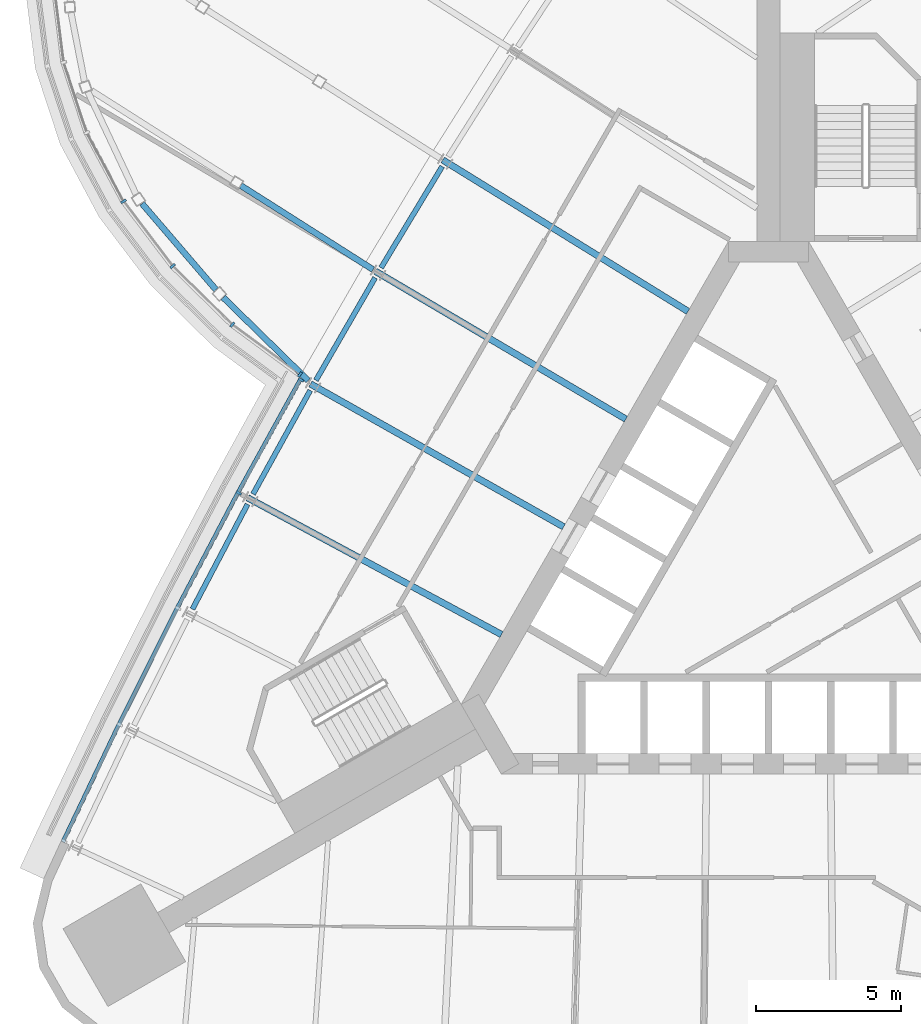
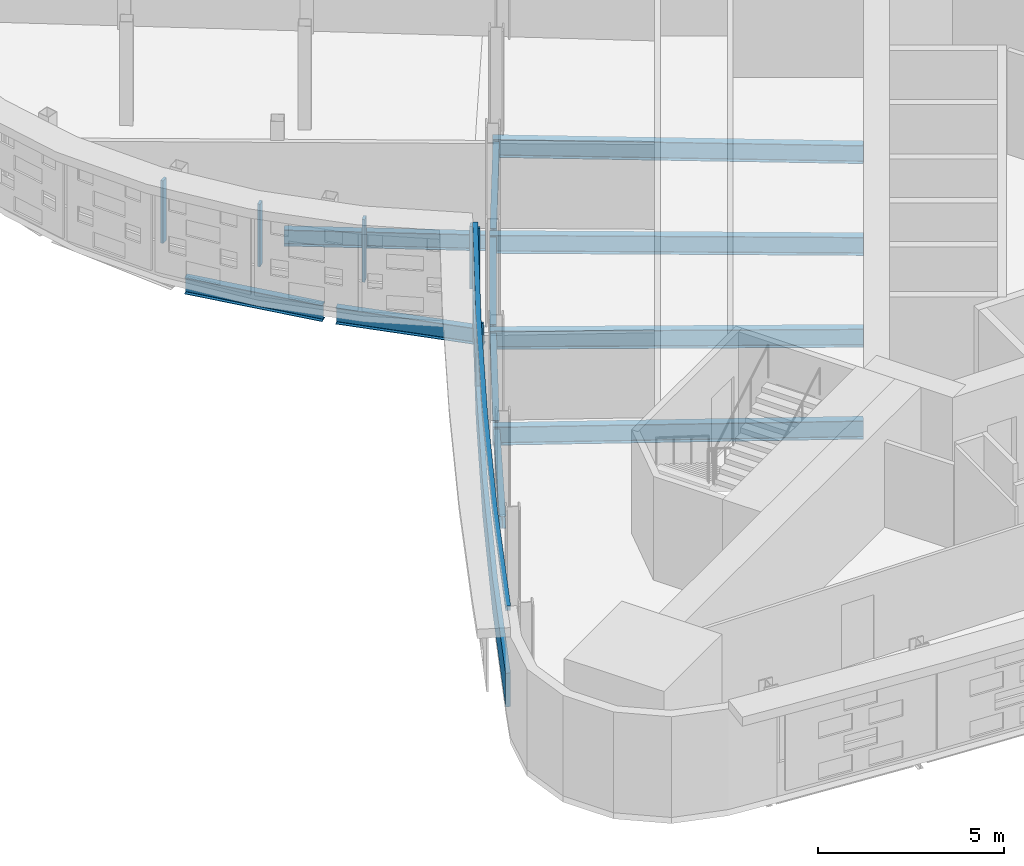
# One storey, part 6 of 17: 11 beams, 8 members, 2 elements without a shape of their own.
"""IFC4 building model written with IfcOpenShell, lengths in metres."""

from ifc_helpers import new_model, si_unit, direction, frame, origin, origin_2d, place, context, subcontext, project, spatial, polyline, rectangle, i_section, outline, extrude, material, material_profile, profile_set, type_object, element, aggregate, save


model = new_model("IFC4")

# Units and contexts
model_context = context("Model", 3, precision=1e-05, world=origin(), true_north=direction((0.0, 1.0)))
body_context = subcontext(model_context, "Body", "Model", "MODEL_VIEW")
ifc_project = project(units=[si_unit("LENGTHUNIT", "METRE"), si_unit("AREAUNIT", "SQUARE_METRE"), si_unit("VOLUMEUNIT", "CUBIC_METRE"), si_unit("PLANEANGLEUNIT", "RADIAN"), si_unit("MASSUNIT", "GRAM", prefix="KILO")], contexts=[model_context])

# Site, building, storey
site_placement = place(None, origin())
site = spatial("IfcSite", under=ifc_project, at=site_placement, CompositionType="ELEMENT")
building_placement = place(site_placement, origin())
building = spatial("IfcBuilding", under=site, at=building_placement, Name="Noor Cloister Tower", CompositionType="ELEMENT")
storey_placement = place(building_placement, frame((0.0, 0.0, 98.699951171875)))
storey = spatial("IfcBuildingStorey", under=building, at=storey_placement, Name="L25", CompositionType="ELEMENT", Elevation=98.699951171875)

# Curtain wall, members
ifc_material_1 = material(Name="Aluminium 6063-T6 anodised", Category="aluminium")
curtain_wall_type_1 = type_object("IfcCurtainWallType", Name="Ribbon curtain wall, lower tower CW1", PredefinedType="NOTDEFINED", material=ifc_material_1)
curtain_wall_1_placement = place(storey_placement, origin())
curtain_wall_1 = element("IfcCurtainWall", 1, at=curtain_wall_1_placement, inside=storey, type_object=curtain_wall_type_1, Name="CW1 L25 NW run 2", PredefinedType="NOTDEFINED")
ifc_material_2 = material(Name="Aluminium 6063-T6 anodised", Category="aluminium")
member_type_1 = type_object("IfcMemberType", Name="Head transom CW1 150", PredefinedType="USERDEFINED", material=ifc_material_2)
member_1_placement = place(storey_placement, frame((0.0, 0.0, 3.150146484375)))
member_1 = element("IfcMember", 2, at=member_1_placement, type_object=member_type_1, Name="CW1 head transom", ObjectType="TRANSOM", PredefinedType="USERDEFINED", context=body_context, shape_type="SweptSolid", body=[
    extrude(outline(polyline([(-16.2080078125, 6.759765625), (-18.380859375, 2.819091796875), (-20.475830078125, -1.16357421875), (-22.49169921875, -5.1865234375), (-24.42822265625, -9.24853515625), (-24.302001953125, -9.30859375), (-22.365966796875, -5.248046875), (-20.35107421875, -1.2275390625), (-18.257568359375, 2.752685546875), (-16.08544921875, 6.692138671875), (-16.2080078125, 6.759765625)])), origin(), (0.0, 0.0, 1.0), 0.14990234375),
])
ifc_material_3 = material(Name="Aluminium 6063-T6 anodised", Category="aluminium")
ifc_material_profile_1 = material_profile(ifc_material_3, rectangle(XDim=0.199951171875, YDim=0.080078125, at=origin_2d()), Name="200 x 80 mullion")
ifc_profile_set_1 = profile_set([ifc_material_profile_1], Name="Aluminium 6063-T6 anodised")
member_type_2 = type_object("IfcMemberType", Name="Mullion CW1 80 x 200", PredefinedType="MULLION", material=ifc_profile_set_1)
member_2_placement = place(storey_placement, frame((-16.139892578125, 6.67626953125, 1.10009765625), z_axis=(0.0, 0.0, 1.0), x_axis=(0.875698643614, -0.482858038737, 0.0)))
member_2 = element("IfcMember", 3, at=member_2_placement, type_object=member_type_2, Name="CW1 mullion 1", PredefinedType="MULLION", context=body_context, shape_type="SweptSolid", body=[
    extrude(rectangle(XDim=0.199951171875, YDim=0.080078125, at=origin_2d()), origin(), (0.0, 0.0, 1.0), 2.050048828125),
])
member_3_placement = place(storey_placement, frame((-18.292724609375, 2.771728515625, 1.10009765625), z_axis=(0.0, 0.0, 1.0), x_axis=(0.880408277748, -0.474216474275, 0.0)))
member_3 = element("IfcMember", 4, at=member_3_placement, type_object=member_type_2, Name="CW1 mullion 2", PredefinedType="MULLION", context=body_context, shape_type="SweptSolid", body=[
    extrude(rectangle(XDim=0.199951171875, YDim=0.080078125, at=origin_2d()), origin(), (0.0, 0.0, 1.0), 2.050048828125),
])

ifc_material_4 = material(Name="Aluminium 6063-T6 anodised", Category="aluminium")
curtain_wall_type_2 = type_object("IfcCurtainWallType", Name="Sky bar curtain wall, lower bars CW2", PredefinedType="NOTDEFINED", material=ifc_material_4)
curtain_wall_2_placement = place(storey_placement, origin())
curtain_wall_2 = element("IfcCurtainWall", 5, at=curtain_wall_2_placement, inside=storey, type_object=curtain_wall_type_2, Name="CW2 L25 NW sky bar run 1", PredefinedType="NOTDEFINED")
ifc_material_5 = material(Name="Aluminium 6063-T6 anodised", Category="aluminium")
ifc_material_profile_2 = material_profile(ifc_material_5, rectangle(XDim=0.199951171875, YDim=0.080078125, at=origin_2d()), Name="200 x 80 mullion")
ifc_profile_set_2 = profile_set([ifc_material_profile_2], Name="Aluminium 6063-T6 anodised")
member_type_3 = type_object("IfcMemberType", Name="Mullion CW2 80 x 200", PredefinedType="MULLION", material=ifc_profile_set_2)
member_4_placement = place(storey_placement, frame((-22.271484375, 12.84375, 1.10009765625), z_axis=(0.0, 0.0, 1.0), x_axis=(0.842174256763, 0.539205453649, 0.0)))
member_4 = element("IfcMember", 6, at=member_4_placement, type_object=member_type_3, Name="CW2 mullion 15", PredefinedType="MULLION", context=body_context, shape_type="SweptSolid", body=[
    extrude(rectangle(XDim=0.199951171875, YDim=0.080078125, at=origin_2d()), origin(), (0.0, 0.0, 1.0), 2.050048828125),
])
member_5_placement = place(storey_placement, frame((-20.57763671875, 10.607666015625, 1.10009765625), z_axis=(0.0, 0.0, 1.0), x_axis=(0.750691888526, 0.660652471804, 0.0)))
member_5 = element("IfcMember", 7, at=member_5_placement, type_object=member_type_3, Name="CW2 mullion 16", PredefinedType="MULLION", context=body_context, shape_type="SweptSolid", body=[
    extrude(rectangle(XDim=0.199951171875, YDim=0.080078125, at=origin_2d()), origin(), (0.0, 0.0, 1.0), 2.050048828125),
])
member_6_placement = place(storey_placement, frame((-18.51513671875, 8.584716796875, 1.10009765625), z_axis=(0.0, 0.0, 1.0), x_axis=(0.648411146888, 0.761290341849, 0.0)))
member_6 = element("IfcMember", 8, at=member_6_placement, type_object=member_type_3, Name="CW2 mullion 17", PredefinedType="MULLION", context=body_context, shape_type="SweptSolid", body=[
    extrude(rectangle(XDim=0.199951171875, YDim=0.080078125, at=origin_2d()), origin(), (0.0, 0.0, 1.0), 2.050048828125),
])
member_7_placement = place(storey_placement, frame((-16.180908203125, 6.864013671875, 1.10009765625), z_axis=(0.0, 0.0, 1.0), x_axis=(0.593401424742, 0.804906671058, 0.0)))
member_7 = element("IfcMember", 9, at=member_7_placement, type_object=member_type_3, Name="CW2 mullion 18", PredefinedType="MULLION", context=body_context, shape_type="SweptSolid", body=[
    extrude(rectangle(XDim=0.199951171875, YDim=0.080078125, at=origin_2d()), origin(), (0.0, 0.0, 1.0), 2.050048828125),
])
aggregate(curtain_wall_2, [member_4, member_5, member_6, member_7])

# Beams
ifc_material_6 = material(Name="Steel ASTM A992 Gr 50", Category="steel")
ifc_material_profile_3 = material_profile(ifc_material_6, i_section(OverallWidth=0.208984375, OverallDepth=0.532958984375, WebThickness=0.01025390625, FlangeThickness=0.015625, FilletRadius=0.0126953125, at=origin_2d()), Name="W530x92")
ifc_profile_set_3 = profile_set([ifc_material_profile_3], Name="Steel ASTM A992 Gr 50")
beam_type_1 = type_object("IfcBeamType", Name="Pod floor beam W530x92", PredefinedType="BEAM", material=ifc_profile_set_3)
beam_1_placement = place(storey_placement, frame((-13.65576171875, 10.48583984375, -0.466552734375), z_axis=(-0.843988413178, 0.536361406535, 0.0), x_axis=(-0.536361406535, -0.843988413178, 0.0)))
element("IfcBeam", 10, at=beam_1_placement, inside=storey, type_object=beam_type_1, Name="Pod floor beam 2 L25 line 5 span 1", PredefinedType="BEAM", context=body_context, shape_type="SweptSolid", body=[
    extrude(i_section(OverallWidth=0.208984375, OverallDepth=0.532958984375, WebThickness=0.01025390625, FlangeThickness=0.015625, FilletRadius=0.0126953125, at=origin_2d()), origin(), (0.0, 0.0, 1.0), 5.409423828125),
])
beam_2_placement = place(storey_placement, frame((-21.6328125, 12.765625, -0.466552734375), z_axis=(0.651308985518, -0.75881262864, 0.0), x_axis=(0.75881262864, 0.651308985518, 0.0)))
element("IfcBeam", 11, at=beam_2_placement, inside=storey, type_object=beam_type_1, Name="Pod floor beam 2 L25 ring 10", PredefinedType="BEAM", context=body_context, shape_type="SweptSolid", body=[
    extrude(i_section(OverallWidth=0.208984375, OverallDepth=0.532958984375, WebThickness=0.01025390625, FlangeThickness=0.015625, FilletRadius=0.0126953125, at=origin_2d()), origin(), (0.0, 0.0, 1.0), 3.922119140625),
])
beam_3_placement = place(storey_placement, frame((-18.828857421875, 9.52294921875, -0.466552734375), z_axis=(0.714711800692, -0.699419074626, 0.0), x_axis=(0.699419074626, 0.714711800692, 0.0)))
element("IfcBeam", 12, at=beam_3_placement, inside=storey, type_object=beam_type_1, Name="Pod floor beam 2 L25 ring 11", PredefinedType="BEAM", context=body_context, shape_type="SweptSolid", body=[
    extrude(i_section(OverallWidth=0.208984375, OverallDepth=0.532958984375, WebThickness=0.01025390625, FlangeThickness=0.015625, FilletRadius=0.0126953125, at=origin_2d()), origin(), (0.0, 0.0, 1.0), 4.102783203125),
])
ifc_material_7 = material(Name="Steel ASTM A992 Gr 50", Category="steel")
ifc_material_profile_4 = material_profile(ifc_material_7, i_section(OverallWidth=0.22802734375, OverallDepth=0.60205078125, WebThickness=0.010498046875, FlangeThickness=0.014892578125, FilletRadius=0.0126953125, at=origin_2d()), Name="W610x101")
ifc_profile_set_4 = profile_set([ifc_material_profile_4], Name="Steel ASTM A992 Gr 50")
beam_type_2 = type_object("IfcBeamType", Name="Radial beam W610x101", PredefinedType="BEAM", material=ifc_profile_set_4)
beam_4_placement = place(storey_placement, frame((-11.249267578125, 14.272705078125, -0.5009765625), z_axis=(0.850881836439, -0.525357117034, 0.0), x_axis=(0.525357117034, 0.850881836439, 0.0)))
element("IfcBeam", 13, at=beam_4_placement, inside=storey, type_object=beam_type_2, Name="Radial beam NW 04 L25", PredefinedType="BEAM", context=body_context, shape_type="SweptSolid", body=[
    extrude(i_section(OverallWidth=0.22802734375, OverallDepth=0.60205078125, WebThickness=0.010498046875, FlangeThickness=0.014892578125, FilletRadius=0.0126953125, at=origin_2d()), origin(), (0.0, 0.0, 1.0), 9.95458984375),
])
for number, where, z_axis, x_axis, name in (
    (14, (-13.571044921875, 10.42822265625, -0.5009765625), (0.86106399039, -0.508496612038, 0.0), (0.508496612038, 0.86106399039, 0.0), "Radial beam NW 05 L25"),
    (15, (-15.816650390625, 6.538818359375, -0.5009765625), (0.870901874431, -0.491456941259, 0.0), (0.491456941259, 0.870901874431, 0.0), "Radial beam NW 06 L25"),
):
    element("IfcBeam", number, at=place(storey_placement, frame(where, z_axis=z_axis, x_axis=x_axis)), inside=storey, type_object=beam_type_2, Name=name, PredefinedType="BEAM", context=body_context, shape_type="SweptSolid", body=[
        extrude(i_section(OverallWidth=0.22802734375, OverallDepth=0.60205078125, WebThickness=0.010498046875, FlangeThickness=0.014892578125, FilletRadius=0.0126953125, at=origin_2d()), origin(), (0.0, 0.0, 1.0), 10.039306640625),
    ])
beam_5_placement = place(storey_placement, frame((-17.985107421875, 2.60595703125, -0.5009765625), z_axis=(0.880406516163, -0.474219744736, 0.0), x_axis=(0.474219744736, 0.880406516163, 0.0)))
element("IfcBeam", 16, at=beam_5_placement, inside=storey, type_object=beam_type_2, Name="Radial beam NW 07 L25", PredefinedType="BEAM", context=body_context, shape_type="SweptSolid", body=[
    extrude(i_section(OverallWidth=0.22802734375, OverallDepth=0.60205078125, WebThickness=0.010498046875, FlangeThickness=0.014892578125, FilletRadius=0.0126953125, at=origin_2d()), origin(), (0.0, 0.0, 1.0), 9.95458984375),
])

# Member
ifc_material_8 = material(Name="Aluminium 6063-T6 anodised", Category="aluminium")
member_type_4 = type_object("IfcMemberType", Name="Sill transom CW1 1100", PredefinedType="USERDEFINED", material=ifc_material_8)
member_8_placement = place(storey_placement, origin())
member_8 = element("IfcMember", 17, at=member_8_placement, type_object=member_type_4, Name="CW1 sill transom", ObjectType="TRANSOM", PredefinedType="USERDEFINED", context=body_context, shape_type="SweptSolid", body=[
    extrude(outline(polyline([(-16.2080078125, 6.759765625), (-18.380859375, 2.819091796875), (-20.475830078125, -1.16357421875), (-22.49169921875, -5.1865234375), (-24.42822265625, -9.24853515625), (-24.302001953125, -9.30859375), (-22.365966796875, -5.248046875), (-20.35107421875, -1.2275390625), (-18.257568359375, 2.752685546875), (-16.08544921875, 6.692138671875), (-16.2080078125, 6.759765625)])), origin(), (0.0, 0.0, 1.0), 1.10009765625),
])

aggregate(curtain_wall_1, [member_2, member_3, member_8, member_1])

# Beams
ifc_material_9 = material(Name="Steel ASTM A992 Gr 50", Category="steel")
ifc_material_profile_5 = material_profile(ifc_material_9, i_section(OverallWidth=0.177978515625, OverallDepth=0.406005859375, WebThickness=0.0078125, FlangeThickness=0.0126953125, FilletRadius=0.01025390625, at=origin_2d()), Name="W410x60")
ifc_profile_set_5 = profile_set([ifc_material_profile_5], Name="Steel ASTM A992 Gr 50")
beam_type_3 = type_object("IfcBeamType", Name="Spandrel beam W410x60", PredefinedType="SPANDREL", material=ifc_profile_set_5)
for number, where, z_axis, x_axis, name in (
    (18, (-11.267578125, 14.048095703125, -0.40283203125), (-0.516935158604, -0.856024556773, 0.0), (0.856024556773, -0.516935158604, 0.0), "Spandrel beam NW 04 L25"),
    (19, (-13.584716796875, 10.203369140625, -0.40283203125), (-0.500037791097, -0.866003583985, 0.0), (0.866003583985, -0.500037791097, 0.0), "Spandrel beam NW 05 L25"),
):
    element("IfcBeam", number, at=place(storey_placement, frame(where, z_axis=z_axis, x_axis=x_axis)), inside=storey, type_object=beam_type_3, Name=name, PredefinedType="SPANDREL", context=body_context, shape_type="SweptSolid", body=[
        extrude(i_section(OverallWidth=0.177978515625, OverallDepth=0.406005859375, WebThickness=0.0078125, FlangeThickness=0.0126953125, FilletRadius=0.01025390625, at=origin_2d()), origin(), (0.0, 0.0, 1.0), 4.088134765625),
    ])
beam_6_placement = place(storey_placement, frame((-15.825927734375, 6.313720703125, -0.40283203125), z_axis=(-0.482851559561, -0.875702216184, 0.0), x_axis=(0.875702216184, -0.482851559561, 0.0)))
element("IfcBeam", 20, at=beam_6_placement, inside=storey, type_object=beam_type_3, Name="Spandrel beam NW 06 L25", PredefinedType="SPANDREL", context=body_context, shape_type="SweptSolid", body=[
    extrude(i_section(OverallWidth=0.177978515625, OverallDepth=0.406005859375, WebThickness=0.0078125, FlangeThickness=0.0126953125, FilletRadius=0.01025390625, at=origin_2d()), origin(), (0.0, 0.0, 1.0), 4.087890625),
])
beam_7_placement = place(storey_placement, frame((-17.989990234375, 2.380859375, -0.40283203125), z_axis=(-0.465512591223, -0.885041257464, 0.0), x_axis=(0.885041257464, -0.465512591223, 0.0)))
element("IfcBeam", 21, at=beam_7_placement, inside=storey, type_object=beam_type_3, Name="Spandrel beam NW 07 L25", PredefinedType="SPANDREL", context=body_context, shape_type="SweptSolid", body=[
    extrude(i_section(OverallWidth=0.177978515625, OverallDepth=0.406005859375, WebThickness=0.0078125, FlangeThickness=0.0126953125, FilletRadius=0.01025390625, at=origin_2d()), origin(), (0.0, 0.0, 1.0), 4.088134765625),
])

save(model, "model.ifc")
